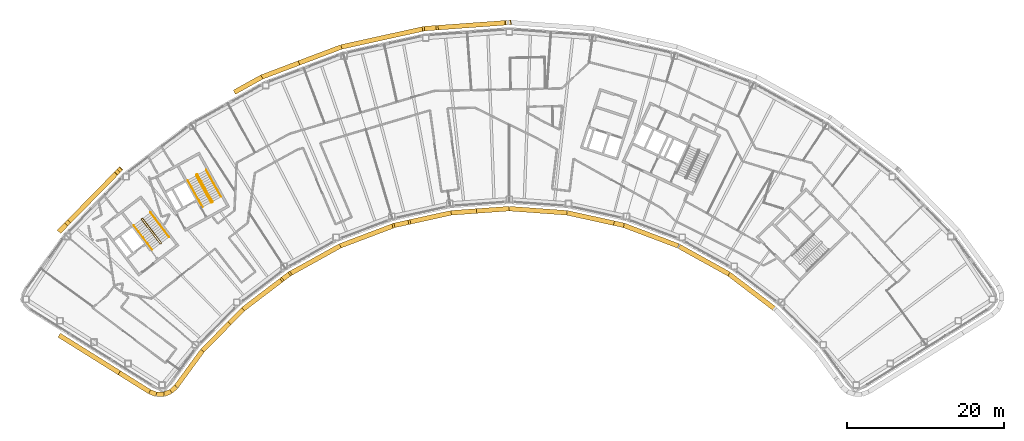
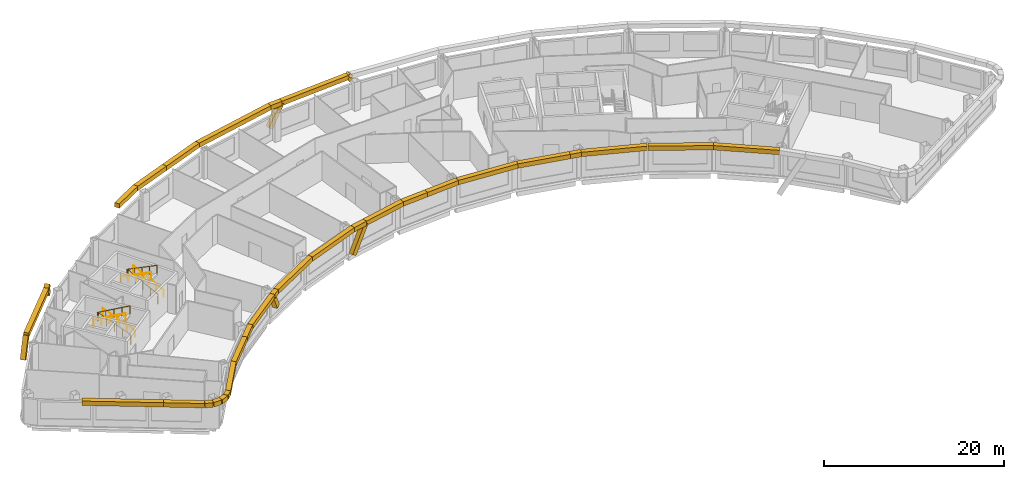
# One storey, part 13 of 14: 38 coverings, 6 railings.
"""IFC4 building model written with IfcOpenShell, lengths in metres."""

from ifc_helpers import new_model, si_unit, direction, frame, origin, origin_2d, place, context, subcontext, project, spatial, rectangle, circle, extrude, material, material_profile, profile_set, type_object, element, save


model = new_model("IFC4")

# Units and contexts
model_context = context("Model", 3, precision=1e-05, world=origin(), true_north=direction((0.0, 1.0)))
body_context = subcontext(model_context, "Body", "Model", "MODEL_VIEW")
ifc_project = project(units=[si_unit("LENGTHUNIT", "METRE"), si_unit("AREAUNIT", "SQUARE_METRE"), si_unit("VOLUMEUNIT", "CUBIC_METRE"), si_unit("PLANEANGLEUNIT", "RADIAN"), si_unit("MASSUNIT", "GRAM", prefix="KILO")], contexts=[model_context])

# Site, building, storey
site_placement = place(None, origin())
site = spatial("IfcSite", under=ifc_project, at=site_placement, CompositionType="ELEMENT")
building_placement = place(site_placement, origin())
building = spatial("IfcBuilding", under=site, at=building_placement, Name="Tuul Gate Civic Tower", CompositionType="ELEMENT")
storey_placement = place(building_placement, frame((0.0, 0.0, 269.39990234375)))
storey = spatial("IfcBuildingStorey", under=building, at=storey_placement, Name="Level 61", CompositionType="ELEMENT", Elevation=269.39990234375)

# Railings
ifc_material_1 = material(Name="Painted steel", Category="steel")
railing_type_1 = type_object("IfcRailingType", Name="Stair guard", PredefinedType="GUARDRAIL", material=ifc_material_1)
railing_1_placement = place(storey_placement, frame((-33.382080078125, -13.515380859375, 0.0)))
element("IfcRailing", 1, at=railing_1_placement, inside=storey, type_object=railing_type_1, Name="Level 61 ST-1 stair guard 1", PredefinedType="GUARDRAIL", context=body_context, shape_type="SweptSolid", body=[
    extrude(circle(Radius=0.02392578125, at=origin_2d()), frame((0.0, 0.0, 1.076171875), z_axis=(-0.795879841968, -0.605454603706, 0.0), x_axis=(0.605454603706, -0.795879841968, 0.0)), (0.0, 0.0, 1.0), 0.10009765625),
    extrude(circle(Radius=0.02392578125, at=origin_2d()), frame((-0.07958984375, -0.060546875, 1.076171875), z_axis=(0.408676696321, 0.599019267211, 0.688592241747), x_axis=(-0.826063974707, 0.563576356576, 0.0)), (0.0, 0.0, 1.0), 0.218017578125),
    extrude(circle(Radius=0.02392578125, at=origin_2d()), frame((0.009521484375, 0.070068359375, 1.22607421875), z_axis=(-0.541824460341, 0.711645023348, 0.447199748346), x_axis=(-0.795637165283, -0.60577347352, 0.0)), (0.0, 0.0, 1.0), 4.3603515625),
    extrude(circle(Radius=0.02392578125, at=origin_2d()), frame((-2.35302734375, 3.173095703125, 3.17626953125), z_axis=(-0.990893089246, 0.134650977284, 0.0), x_axis=(-0.134650977284, -0.990893089246, 0.0)), (0.0, 0.0, 1.0), 0.07080078125),
    extrude(circle(Radius=0.02392578125, at=origin_2d()), frame((-2.423095703125, 3.1826171875, 3.17626953125), z_axis=(-0.793802879778, -0.60817512943, 0.0), x_axis=(0.60817512943, -0.793802879778, 0.0)), (0.0, 0.0, 1.0), 0.099853515625),
    extrude(circle(Radius=0.02392578125, at=origin_2d()), frame((-2.50244140625, 3.121826171875, 3.17626953125), z_axis=(-0.057447065493, -0.422751481959, 0.904423031091), x_axis=(0.990893089246, -0.134650977284, 0.0)), (0.0, 0.0, 1.0), 0.165771484375),
    extrude(circle(Radius=0.02392578125, at=origin_2d()), frame((-2.511962890625, 3.0517578125, 3.326171875), z_axis=(0.541792925989, -0.711621155064, 0.447275929392), x_axis=(0.795644365679, 0.605764016233, 0.0)), (0.0, 0.0, 1.0), 4.360107421875),
    extrude(circle(Radius=0.02099609375, at=origin_2d()), origin(), (0.0, 0.0, 1.0), 1.052001953125),
    extrude(circle(Radius=0.02099609375, at=origin_2d()), frame((-0.07958984375, -0.060546875, 0.0)), (0.0, 0.0, 1.0), 1.052001953125),
    extrude(circle(Radius=0.02099609375, at=origin_2d()), frame((0.009521484375, 0.070068359375, 0.150146484375)), (0.0, 0.0, 1.0), 1.052001953125),
    extrude(circle(Radius=0.02099609375, at=origin_2d()), frame((-0.5810546875, 0.845703125, 0.6376953125)), (0.0, 0.0, 1.0), 1.052001953125),
    extrude(circle(Radius=0.02099609375, at=origin_2d()), frame((-1.171875, 1.62158203125, 1.125)), (0.0, 0.0, 1.0), 1.052001953125),
    extrude(circle(Radius=0.02099609375, at=origin_2d()), frame((-1.762451171875, 2.3974609375, 1.612548828125)), (0.0, 0.0, 1.0), 1.052001953125),
    extrude(circle(Radius=0.02099609375, at=origin_2d()), frame((-2.35302734375, 3.173095703125, 2.10009765625)), (0.0, 0.0, 1.0), 1.052001953125),
    extrude(circle(Radius=0.02099609375, at=origin_2d()), frame((-2.423095703125, 3.1826171875, 2.10009765625)), (0.0, 0.0, 1.0), 1.052001953125),
    extrude(circle(Radius=0.02099609375, at=origin_2d()), frame((-2.50244140625, 3.121826171875, 2.10009765625)), (0.0, 0.0, 1.0), 1.052001953125),
    extrude(circle(Radius=0.02099609375, at=origin_2d()), frame((-2.511962890625, 3.0517578125, 2.25)), (0.0, 0.0, 1.0), 1.052001953125),
    extrude(circle(Radius=0.02099609375, at=origin_2d()), frame((-1.92138671875, 2.276123046875, 2.737548828125)), (0.0, 0.0, 1.0), 1.052001953125),
    extrude(circle(Radius=0.02099609375, at=origin_2d()), frame((-1.330810546875, 1.50048828125, 3.22509765625)), (0.0, 0.0, 1.0), 1.052001953125),
    extrude(circle(Radius=0.02099609375, at=origin_2d()), frame((-0.740234375, 0.724609375, 3.712646484375)), (0.0, 0.0, 1.0), 1.052001953125),
    extrude(circle(Radius=0.02099609375, at=origin_2d()), frame((-0.149658203125, -0.051025390625, 4.2001953125)), (0.0, 0.0, 1.0), 1.052001953125),
])
railing_2_placement = place(storey_placement, frame((-26.857666015625, -8.247314453125, 0.0)))
element("IfcRailing", 2, at=railing_2_placement, inside=storey, type_object=railing_type_1, Name="Level 61 ST-2 stair guard 1", PredefinedType="GUARDRAIL", context=body_context, shape_type="SweptSolid", body=[
    extrude(circle(Radius=0.02392578125, at=origin_2d()), frame((0.0, 0.0, 1.076171875), z_axis=(-0.874616555828, -0.48481530532, 0.0), x_axis=(0.48481530532, -0.874616555828, 0.0)), (0.0, 0.0, 1.0), 0.10009765625),
    extrude(circle(Radius=0.02392578125, at=origin_2d()), frame((-0.087646484375, -0.048583984375, 1.076171875), z_axis=(0.490435707169, 0.534104639999, 0.688625479244), x_axis=(-0.736576986774, 0.676353711126, 0.0)), (0.0, 0.0, 1.0), 0.218017578125),
    extrude(circle(Radius=0.02392578125, at=origin_2d()), frame((0.019287109375, 0.06787109375, 1.22607421875), z_axis=(-0.43354991378, 0.782327185242, 0.447212083348), x_axis=(-0.874667644053, -0.484723129681, 0.0)), (0.0, 0.0, 1.0), 4.3603515625),
    extrude(circle(Radius=0.02392578125, at=origin_2d()), frame((-1.87109375, 3.47900390625, 3.17626953125), z_axis=(-0.961263487578, 0.275631107549, 0.0), x_axis=(-0.275631107549, -0.961263487578, 0.0)), (0.0, 0.0, 1.0), 0.07080078125),
    extrude(circle(Radius=0.02392578125, at=origin_2d()), frame((-1.939208984375, 3.49853515625, 3.17626953125), z_axis=(-0.874042088414, -0.485850211157, 0.0), x_axis=(0.485850211157, -0.874042088414, 0.0)), (0.0, 0.0, 1.0), 0.10009765625),
    extrude(circle(Radius=0.02392578125, at=origin_2d()), frame((-2.026611328125, 3.449951171875, 3.17626953125), z_axis=(-0.117866478395, -0.409586012422, 0.90462522168), x_axis=(0.961000426733, -0.276546885391, 0.0)), (0.0, 0.0, 1.0), 0.165771484375),
    extrude(circle(Radius=0.02392578125, at=origin_2d()), frame((-2.046142578125, 3.382080078125, 3.326171875), z_axis=(0.433584522764, -0.782288604346, 0.447246018574), x_axis=(0.874641102302, 0.484771020343, 0.0)), (0.0, 0.0, 1.0), 4.3603515625),
    extrude(circle(Radius=0.02099609375, at=origin_2d()), origin(), (0.0, 0.0, 1.0), 1.052001953125),
    extrude(circle(Radius=0.02099609375, at=origin_2d()), frame((-0.087646484375, -0.048583984375, 0.0)), (0.0, 0.0, 1.0), 1.052001953125),
    extrude(circle(Radius=0.02099609375, at=origin_2d()), frame((0.019287109375, 0.06787109375, 0.150146484375)), (0.0, 0.0, 1.0), 1.052001953125),
    extrude(circle(Radius=0.02099609375, at=origin_2d()), frame((-0.453369140625, 0.920654296875, 0.6376953125)), (0.0, 0.0, 1.0), 1.052001953125),
    extrude(circle(Radius=0.02099609375, at=origin_2d()), frame((-0.92578125, 1.7734375, 1.125)), (0.0, 0.0, 1.0), 1.052001953125),
    extrude(circle(Radius=0.02099609375, at=origin_2d()), frame((-1.3984375, 2.626220703125, 1.612548828125)), (0.0, 0.0, 1.0), 1.052001953125),
    extrude(circle(Radius=0.02099609375, at=origin_2d()), frame((-1.87109375, 3.47900390625, 2.10009765625)), (0.0, 0.0, 1.0), 1.052001953125),
    extrude(circle(Radius=0.02099609375, at=origin_2d()), frame((-1.939208984375, 3.49853515625, 2.10009765625)), (0.0, 0.0, 1.0), 1.052001953125),
    extrude(circle(Radius=0.02099609375, at=origin_2d()), frame((-2.026611328125, 3.449951171875, 2.10009765625)), (0.0, 0.0, 1.0), 1.052001953125),
    extrude(circle(Radius=0.02099609375, at=origin_2d()), frame((-2.046142578125, 3.382080078125, 2.25)), (0.0, 0.0, 1.0), 1.052001953125),
    extrude(circle(Radius=0.02099609375, at=origin_2d()), frame((-1.573486328125, 2.529296875, 2.737548828125)), (0.0, 0.0, 1.0), 1.052001953125),
    extrude(circle(Radius=0.02099609375, at=origin_2d()), frame((-1.100830078125, 1.676513671875, 3.22509765625)), (0.0, 0.0, 1.0), 1.052001953125),
    extrude(circle(Radius=0.02099609375, at=origin_2d()), frame((-0.628173828125, 0.82373046875, 3.712646484375)), (0.0, 0.0, 1.0), 1.052001953125),
    extrude(circle(Radius=0.02099609375, at=origin_2d()), frame((-0.155517578125, -0.029052734375, 4.2001953125)), (0.0, 0.0, 1.0), 1.052001953125),
])
ifc_material_2 = material(Name="Painted steel", Category="steel")
railing_type_2 = type_object("IfcRailingType", Name="Stair handrail", PredefinedType="HANDRAIL", material=ifc_material_2)
railing_3_placement = place(storey_placement, frame((-32.3779296875, -12.688232421875, 0.150146484375)))
element("IfcRailing", 3, at=railing_3_placement, inside=storey, type_object=railing_type_2, Name="Level 61 ST-1 stair handrail 1", PredefinedType="HANDRAIL", context=body_context, shape_type="SweptSolid", body=[
    extrude(circle(Radius=0.02392578125, at=origin_2d()), frame((0.0, 0.0, 0.8759765625), z_axis=(-0.541824460341, 0.711645023348, 0.447199748346), x_axis=(-0.795637165283, -0.60577347352, 0.0)), (0.0, 0.0, 1.0), 4.3603515625),
    extrude(circle(Radius=0.02099609375, at=origin_2d()), origin(), (0.0, 0.0, 1.0), 0.851806640625),
    extrude(circle(Radius=0.02099609375, at=origin_2d()), frame((-0.590576171875, 0.77587890625, 0.487548828125)), (0.0, 0.0, 1.0), 0.851806640625),
    extrude(circle(Radius=0.02099609375, at=origin_2d()), frame((-1.18115234375, 1.551513671875, 0.97509765625)), (0.0, 0.0, 1.0), 0.851806640625),
    extrude(circle(Radius=0.02099609375, at=origin_2d()), frame((-1.77197265625, 2.3271484375, 1.46240234375)), (0.0, 0.0, 1.0), 0.851806640625),
    extrude(circle(Radius=0.02099609375, at=origin_2d()), frame((-2.362548828125, 3.10302734375, 1.949951171875)), (0.0, 0.0, 1.0), 0.851806640625),
])
railing_4_placement = place(storey_placement, frame((-36.888671875, -11.220703125, 2.25)))
element("IfcRailing", 4, at=railing_4_placement, inside=storey, type_object=railing_type_2, Name="Level 61 ST-1 stair handrail 2", PredefinedType="HANDRAIL", context=body_context, shape_type="SweptSolid", body=[
    extrude(circle(Radius=0.02392578125, at=origin_2d()), frame((0.0, 0.0, 0.8759765625), z_axis=(0.541810893183, -0.711627203922, 0.44724454012), x_axis=(0.795637165283, 0.60577347352, 0.0)), (0.0, 0.0, 1.0), 4.3603515625),
    extrude(circle(Radius=0.02099609375, at=origin_2d()), origin(), (0.0, 0.0, 1.0), 0.851806640625),
    extrude(circle(Radius=0.02099609375, at=origin_2d()), frame((0.590576171875, -0.77587890625, 0.487548828125)), (0.0, 0.0, 1.0), 0.851806640625),
    extrude(circle(Radius=0.02099609375, at=origin_2d()), frame((1.18115234375, -1.551513671875, 0.97509765625)), (0.0, 0.0, 1.0), 0.851806640625),
    extrude(circle(Radius=0.02099609375, at=origin_2d()), frame((1.77197265625, -2.3271484375, 1.462646484375)), (0.0, 0.0, 1.0), 0.851806640625),
    extrude(circle(Radius=0.02099609375, at=origin_2d()), frame((2.362548828125, -3.10302734375, 1.9501953125)), (0.0, 0.0, 1.0), 0.851806640625),
])
railing_5_placement = place(storey_placement, frame((-25.744873046875, -7.573486328125, 0.150146484375)))
element("IfcRailing", 5, at=railing_5_placement, inside=storey, type_object=railing_type_2, Name="Level 61 ST-2 stair handrail 1", PredefinedType="HANDRAIL", context=body_context, shape_type="SweptSolid", body=[
    extrude(circle(Radius=0.02392578125, at=origin_2d()), frame((0.0, 0.0, 0.8759765625), z_axis=(-0.433595379963, 0.782308193291, 0.447201226726), x_axis=(-0.874641102302, -0.484771020343, 0.0)), (0.0, 0.0, 1.0), 4.3603515625),
    extrude(circle(Radius=0.02099609375, at=origin_2d()), origin(), (0.0, 0.0, 1.0), 0.851806640625),
    extrude(circle(Radius=0.02099609375, at=origin_2d()), frame((-0.47265625, 0.852783203125, 0.487548828125)), (0.0, 0.0, 1.0), 0.851806640625),
    extrude(circle(Radius=0.02099609375, at=origin_2d()), frame((-0.9453125, 1.70556640625, 0.97509765625)), (0.0, 0.0, 1.0), 0.851806640625),
    extrude(circle(Radius=0.02099609375, at=origin_2d()), frame((-1.41796875, 2.558349609375, 1.46240234375)), (0.0, 0.0, 1.0), 0.851806640625),
    extrude(circle(Radius=0.02099609375, at=origin_2d()), frame((-1.890625, 3.4111328125, 1.949951171875)), (0.0, 0.0, 1.0), 0.851806640625),
])
railing_6_placement = place(storey_placement, frame((-29.9970703125, -5.47119140625, 2.25)))
element("IfcRailing", 6, at=railing_6_placement, inside=storey, type_object=railing_type_2, Name="Level 61 ST-2 stair handrail 2", PredefinedType="HANDRAIL", context=body_context, shape_type="SweptSolid", body=[
    extrude(circle(Radius=0.02392578125, at=origin_2d()), frame((0.0, 0.0, 0.8759765625), z_axis=(0.433584522764, -0.782288604346, 0.447246018574), x_axis=(0.874641102302, 0.484771020343, 0.0)), (0.0, 0.0, 1.0), 4.3603515625),
    extrude(circle(Radius=0.02099609375, at=origin_2d()), origin(), (0.0, 0.0, 1.0), 0.851806640625),
    extrude(circle(Radius=0.02099609375, at=origin_2d()), frame((0.47265625, -0.852783203125, 0.487548828125)), (0.0, 0.0, 1.0), 0.851806640625),
    extrude(circle(Radius=0.02099609375, at=origin_2d()), frame((0.9453125, -1.70556640625, 0.97509765625)), (0.0, 0.0, 1.0), 0.851806640625),
    extrude(circle(Radius=0.02099609375, at=origin_2d()), frame((1.41796875, -2.558349609375, 1.462646484375)), (0.0, 0.0, 1.0), 0.851806640625),
    extrude(circle(Radius=0.02099609375, at=origin_2d()), frame((1.890625, -3.4111328125, 1.9501953125)), (0.0, 0.0, 1.0), 0.851806640625),
])

# Coverings
ifc_material_3 = material(Name="Terracotta baguette", Category="masonry")
ifc_material_profile = material_profile(ifc_material_3, rectangle(XDim=0.60009765625, YDim=0.60009765625, at=origin_2d()), Name="Terracotta baguette screen frame")
ifc_profile_set = profile_set([ifc_material_profile], Name="Terracotta baguette")
covering_type = type_object("IfcCoveringType", Name="Terracotta baguette screen frame", PredefinedType="CLADDING", material=ifc_profile_set)
covering_1_placement = place(storey_placement, frame((11.031005859375, 14.677001953125, 4.099853515625), z_axis=(-0.731544505848, -0.05315491414, -0.679718464562), x_axis=(0.072470160291, -0.997370581012, 0.0)))
element("IfcCovering", 7, at=covering_1_placement, inside=storey, type_object=covering_type, Name="Baguette 72", PredefinedType="CLADDING", context=body_context, shape_type="SweptSolid", body=[
    extrude(rectangle(XDim=0.60009765625, YDim=0.60009765625, at=origin_2d()), origin(), (0.0, 0.0, 1.0), 0.367431640625),
])
covering_2_placement = place(storey_placement, frame((10.76220703125, 14.657470703125, 3.85009765625), z_axis=(0.473767502514, 0.034424523343, -0.879976877966), x_axis=(-0.072470160291, 0.997370581012, 0.0)))
element("IfcCovering", 8, at=covering_2_placement, inside=storey, type_object=covering_type, Name="Baguette 76", PredefinedType="CLADDING", context=body_context, shape_type="SweptSolid", body=[
    extrude(rectangle(XDim=0.60009765625, YDim=0.60009765625, at=origin_2d()), origin(), (0.0, 0.0, 1.0), 0.5673828125),
])
covering_3_placement = place(storey_placement, frame((10.76220703125, 14.657470703125, 3.85009765625), z_axis=(-0.997388280851, -0.072226153297, 0.0), x_axis=(0.072226153297, -0.997388280851, 0.0)))
element("IfcCovering", 9, at=covering_3_placement, inside=storey, type_object=covering_type, Name="Baguette 78", PredefinedType="CLADDING", context=body_context, shape_type="SweptSolid", body=[
    extrude(rectangle(XDim=0.60009765625, YDim=0.60009765625, at=origin_2d()), origin(), (0.0, 0.0, 1.0), 9.072509765625),
])
covering_4_placement = place(storey_placement, frame((1.71337890625, 14.002197265625, 3.85009765625), z_axis=(-0.473975845679, -0.034349416832, -0.879867612358), x_axis=(0.072281254419, -0.997384289158, 0.0)))
element("IfcCovering", 10, at=covering_4_placement, inside=storey, type_object=covering_type, Name="Baguette 83", PredefinedType="CLADDING", context=body_context, shape_type="SweptSolid", body=[
    extrude(rectangle(XDim=0.60009765625, YDim=0.60009765625, at=origin_2d()), origin(), (0.0, 0.0, 1.0), 3.177001953125),
])
covering_5_placement = place(storey_placement, frame((-15.79931640625, 9.511474609375, 3.85009765625), z_axis=(-0.935339269732, -0.353751961829, 0.0), x_axis=(0.353751961829, -0.935339269732, 0.0)))
element("IfcCovering", 11, at=covering_5_placement, inside=storey, type_object=covering_type, Name="Baguette 99", PredefinedType="CLADDING", context=body_context, shape_type="SweptSolid", body=[
    extrude(rectangle(XDim=0.60009765625, YDim=0.60009765625, at=origin_2d()), origin(), (0.0, 0.0, 1.0), 5.06640625),
])
covering_6_placement = place(storey_placement, frame((-20.5380859375, 7.71923828125, 3.85009765625), z_axis=(-0.874631167379, -0.484788944851, 0.0), x_axis=(0.484788944851, -0.874631167379, 0.0)))
element("IfcCovering", 12, at=covering_6_placement, inside=storey, type_object=covering_type, Name="Baguette 100", PredefinedType="CLADDING", context=body_context, shape_type="SweptSolid", body=[
    extrude(rectangle(XDim=0.60009765625, YDim=0.60009765625, at=origin_2d()), origin(), (0.0, 0.0, 1.0), 4.006103515625),
])
covering_7_placement = place(storey_placement, frame((-38.66259765625, -4.1142578125, 4.265625), z_axis=(-0.513685811518, -0.52406330266, -0.679326535512), x_axis=(0.714142142784, -0.700000714214, 0.0)))
element("IfcCovering", 13, at=covering_7_placement, inside=storey, type_object=covering_type, Name="Baguette 114", PredefinedType="CLADDING", context=body_context, shape_type="SweptSolid", body=[
    extrude(rectangle(XDim=0.60009765625, YDim=0.60009765625, at=origin_2d()), origin(), (0.0, 0.0, 1.0), 0.611572265625),
])
covering_8_placement = place(storey_placement, frame((-38.976806640625, -4.434814453125, 3.85009765625), z_axis=(0.332661950864, 0.339382394315, -0.879861134996), x_axis=(-0.714142142784, 0.700000714214, 0.0)))
element("IfcCovering", 14, at=covering_8_placement, inside=storey, type_object=covering_type, Name="Baguette 118", PredefinedType="CLADDING", context=body_context, shape_type="SweptSolid", body=[
    extrude(rectangle(XDim=0.60009765625, YDim=0.60009765625, at=origin_2d()), origin(), (0.0, 0.0, 1.0), 0.944580078125),
])
covering_9_placement = place(storey_placement, frame((-38.976806640625, -4.434814453125, 3.85009765625), z_axis=(-0.69999391998, -0.714148802415, 0.0), x_axis=(0.714148802415, -0.69999391998, 0.0)))
element("IfcCovering", 15, at=covering_9_placement, inside=storey, type_object=covering_type, Name="Baguette 120", PredefinedType="CLADDING", context=body_context, shape_type="SweptSolid", body=[
    extrude(rectangle(XDim=0.60009765625, YDim=0.60009765625, at=origin_2d()), origin(), (0.0, 0.0, 1.0), 9.072265625),
])
covering_10_placement = place(storey_placement, frame((-45.327392578125, -10.913818359375, 3.85009765625), z_axis=(-0.332603463644, -0.339318321196, -0.879907957046), x_axis=(0.714137600713, -0.700005348013, 0.0)))
element("IfcCovering", 16, at=covering_10_placement, inside=storey, type_object=covering_type, Name="Baguette 125", PredefinedType="CLADDING", context=body_context, shape_type="SweptSolid", body=[
    extrude(rectangle(XDim=0.60009765625, YDim=0.60009765625, at=origin_2d()), origin(), (0.0, 0.0, 1.0), 2.799560546875),
])
covering_11_placement = place(storey_placement, frame((-46.413818359375, -25.236328125, 3.85009765625), z_axis=(0.848031633403, -0.529945609235, 0.0), x_axis=(0.529945609235, 0.848031633403, 0.0)))
element("IfcCovering", 17, at=covering_11_placement, inside=storey, type_object=covering_type, Name="Baguette 152", PredefinedType="CLADDING", context=body_context, shape_type="SweptSolid", body=[
    extrude(rectangle(XDim=0.60009765625, YDim=0.60009765625, at=origin_2d()), origin(), (0.0, 0.0, 1.0), 9.052978515625),
])
covering_12_placement = place(storey_placement, frame((-24.676513671875, -23.702880859375, 3.85009765625), z_axis=(0.70003698075, 0.714106592591, 0.0), x_axis=(-0.714106592591, 0.70003698075, 0.0)))
element("IfcCovering", 18, at=covering_12_placement, inside=storey, type_object=covering_type, Name="Baguette 184", PredefinedType="CLADDING", context=body_context, shape_type="SweptSolid", body=[
    extrude(rectangle(XDim=0.60009765625, YDim=0.60009765625, at=origin_2d()), origin(), (0.0, 0.0, 1.0), 2.4814453125),
])
covering_13_placement = place(storey_placement, frame((-22.939453125, -21.930908203125, 3.85009765625), z_axis=(0.795633135366, 0.605778766472, 0.0), x_axis=(-0.605778766472, 0.795633135366, 0.0)))
element("IfcCovering", 19, at=covering_13_placement, inside=storey, type_object=covering_type, Name="Baguette 185", PredefinedType="CLADDING", context=body_context, shape_type="SweptSolid", body=[
    extrude(rectangle(XDim=0.60009765625, YDim=0.60009765625, at=origin_2d()), origin(), (0.0, 0.0, 1.0), 6.37060546875),
])
covering_14_placement = place(storey_placement, frame((-17.870849609375, -18.07177734375, 3.85009765625), z_axis=(0.370916914487, 0.282427357513, -0.884678150672), x_axis=(-0.605804319563, 0.795613679118, 0.0)))
element("IfcCovering", 20, at=covering_14_placement, inside=storey, type_object=covering_type, Name="Baguette 190", PredefinedType="CLADDING", context=body_context, shape_type="SweptSolid", body=[
    extrude(rectangle(XDim=0.60009765625, YDim=0.60009765625, at=origin_2d()), origin(), (0.0, 0.0, 1.0), 2.245849609375),
])
covering_15_placement = place(storey_placement, frame((-1.83349609375, -10.8251953125, 3.85009765625), z_axis=(-0.455231406163, -0.100259669846, -0.884710328551), x_axis=(0.215084326604, -0.976595480457, 0.0)))
element("IfcCovering", 21, at=covering_15_placement, inside=storey, type_object=covering_type, Name="Baguette 208", PredefinedType="CLADDING", context=body_context, shape_type="SweptSolid", body=[
    extrude(rectangle(XDim=0.60009765625, YDim=0.60009765625, at=origin_2d()), origin(), (0.0, 0.0, 1.0), 3.90576171875),
])
covering_16_placement = place(storey_placement, frame((-1.83349609375, -10.8251953125, 3.85009765625), z_axis=(0.976583648021, 0.215138045026, 0.0), x_axis=(-0.215138045026, 0.976583648021, 0.0)))
element("IfcCovering", 22, at=covering_16_placement, inside=storey, type_object=covering_type, Name="Baguette 210", PredefinedType="CLADDING", context=body_context, shape_type="SweptSolid", body=[
    extrude(rectangle(XDim=0.60009765625, YDim=0.60009765625, at=origin_2d()), origin(), (0.0, 0.0, 1.0), 5.596923828125),
])
covering_17_placement = place(storey_placement, frame((3.63232421875, -9.62109375, 3.85009765625), z_axis=(0.997382758328, 0.07230237472, 0.0), x_axis=(-0.07230237472, 0.997382758328, 0.0)))
element("IfcCovering", 23, at=covering_17_placement, inside=storey, type_object=covering_type, Name="Baguette 211", PredefinedType="CLADDING", context=body_context, shape_type="SweptSolid", body=[
    extrude(rectangle(XDim=0.60009765625, YDim=0.60009765625, at=origin_2d()), origin(), (0.0, 0.0, 1.0), 3.255126953125),
])
covering_18_placement = place(storey_placement, frame((24.4091796875, -10.938232421875, 3.85009765625), z_axis=(0.976580321069, -0.215153146619, 0.0), x_axis=(0.215153146619, 0.976580321069, 0.0)))
element("IfcCovering", 24, at=covering_18_placement, inside=storey, type_object=covering_type, Name="Baguette 233", PredefinedType="CLADDING", context=body_context, shape_type="SweptSolid", body=[
    extrude(rectangle(XDim=0.60009765625, YDim=0.60009765625, at=origin_2d()), origin(), (0.0, 0.0, 1.0), 1.294677734375),
])
covering_19_placement = place(storey_placement, frame((25.673583984375, -11.216796875, 3.85009765625), z_axis=(0.935320405664, -0.353801835423, 0.0), x_axis=(0.353801835423, 0.935320405664, 0.0)))
element("IfcCovering", 25, at=covering_19_placement, inside=storey, type_object=covering_type, Name="Baguette 234", PredefinedType="CLADDING", context=body_context, shape_type="SweptSolid", body=[
    extrude(rectangle(XDim=0.60009765625, YDim=0.60009765625, at=origin_2d()), origin(), (0.0, 0.0, 1.0), 7.41796875),
])
covering_20_placement = place(storey_placement, frame((1.71337890625, 14.002197265625, 3.85009765625), z_axis=(-0.997384289158, -0.072281254419, 0.0), x_axis=(0.072281254419, -0.997384289158, 0.0)))
element("IfcCovering", 26, at=covering_20_placement, inside=storey, type_object=covering_type, Name="Baguette 314", PredefinedType="CLADDING", context=body_context, shape_type="SweptSolid", body=[
    extrude(rectangle(XDim=0.60009765625, YDim=0.60009765625, at=origin_2d()), origin(), (0.0, 0.0, 1.0), 1.509765625),
])
covering_21_placement = place(storey_placement, frame((0.20751953125, 13.89306640625, 3.85009765625), z_axis=(-0.976560440974, -0.215243362557, 0.0), x_axis=(0.215243362557, -0.976560440974, 0.0)))
element("IfcCovering", 27, at=covering_21_placement, inside=storey, type_object=covering_type, Name="Baguette 315", PredefinedType="CLADDING", context=body_context, shape_type="SweptSolid", body=[
    extrude(rectangle(XDim=0.60009765625, YDim=0.60009765625, at=origin_2d()), origin(), (0.0, 0.0, 1.0), 10.850341796875),
])
covering_22_placement = place(storey_placement, frame((-10.388427734375, 11.5576171875, 3.85009765625), z_axis=(-0.935356084004, -0.353707500791, 0.0), x_axis=(0.353707500791, -0.935356084004, 0.0)))
element("IfcCovering", 28, at=covering_22_placement, inside=storey, type_object=covering_type, Name="Baguette 316", PredefinedType="CLADDING", context=body_context, shape_type="SweptSolid", body=[
    extrude(rectangle(XDim=0.60009765625, YDim=0.60009765625, at=origin_2d()), origin(), (0.0, 0.0, 1.0), 5.784912109375),
])
covering_23_placement = place(storey_placement, frame((-38.736572265625, -30.033935546875, 3.85009765625), z_axis=(0.848046231168, -0.529922248827, 0.0), x_axis=(0.529922248827, 0.848046231168, 0.0)))
element("IfcCovering", 29, at=covering_23_placement, inside=storey, type_object=covering_type, Name="Baguette 337", PredefinedType="CLADDING", context=body_context, shape_type="SweptSolid", body=[
    extrude(rectangle(XDim=0.60009765625, YDim=0.60009765625, at=origin_2d()), origin(), (0.0, 0.0, 1.0), 4.57861328125),
])
covering_24_placement = place(storey_placement, frame((-34.853759765625, -32.460205078125, 3.85009765625), z_axis=(0.93181662135, -0.362929447932, 0.0), x_axis=(0.362929447932, 0.93181662135, 0.0)))
element("IfcCovering", 30, at=covering_24_placement, inside=storey, type_object=covering_type, Name="Baguette 338", PredefinedType="CLADDING", context=body_context, shape_type="SweptSolid", body=[
    extrude(rectangle(XDim=0.60009765625, YDim=0.60009765625, at=origin_2d()), origin(), (0.0, 0.0, 1.0), 0.902099609375),
])
covering_25_placement = place(storey_placement, frame((-34.01318359375, -32.78759765625, 3.85009765625), z_axis=(0.999990900757, 0.004265958673, 0.0), x_axis=(-0.004265958673, 0.999990900757, 0.0)))
element("IfcCovering", 31, at=covering_25_placement, inside=storey, type_object=covering_type, Name="Baguette 339", PredefinedType="CLADDING", context=body_context, shape_type="SweptSolid", body=[
    extrude(rectangle(XDim=0.60009765625, YDim=0.60009765625, at=origin_2d()), origin(), (0.0, 0.0, 1.0), 0.972900390625),
])
covering_26_placement = place(storey_placement, frame((-33.040283203125, -32.783447265625, 3.85009765625), z_axis=(0.929665294904, 0.368405265232, 0.0), x_axis=(-0.368405265232, 0.929665294904, 0.0)))
element("IfcCovering", 32, at=covering_26_placement, inside=storey, type_object=covering_type, Name="Baguette 340", PredefinedType="CLADDING", context=body_context, shape_type="SweptSolid", body=[
    extrude(rectangle(XDim=0.60009765625, YDim=0.60009765625, at=origin_2d()), origin(), (0.0, 0.0, 1.0), 0.973388671875),
])
covering_27_placement = place(storey_placement, frame((-32.13525390625, -32.4248046875, 3.85009765625), z_axis=(0.730001285686, 0.683445771731, 0.0), x_axis=(-0.683445771731, 0.730001285686, 0.0)))
element("IfcCovering", 33, at=covering_27_placement, inside=storey, type_object=covering_type, Name="Baguette 341", PredefinedType="CLADDING", context=body_context, shape_type="SweptSolid", body=[
    extrude(rectangle(XDim=0.60009765625, YDim=0.60009765625, at=origin_2d()), origin(), (0.0, 0.0, 1.0), 0.902099609375),
])
covering_28_placement = place(storey_placement, frame((-31.476806640625, -31.808349609375, 3.85009765625), z_axis=(0.589729447422, 0.807600878432, 0.0), x_axis=(-0.807600878432, 0.589729447422, 0.0)))
element("IfcCovering", 34, at=covering_28_placement, inside=storey, type_object=covering_type, Name="Baguette 342", PredefinedType="CLADDING", context=body_context, shape_type="SweptSolid", body=[
    extrude(rectangle(XDim=0.60009765625, YDim=0.60009765625, at=origin_2d()), origin(), (0.0, 0.0, 1.0), 5.671142578125),
])
covering_29_placement = place(storey_placement, frame((-28.13232421875, -27.228271484375, 3.85009765625), z_axis=(0.700024437116, 0.71411888887, 0.0), x_axis=(-0.71411888887, 0.700024437116, 0.0)))
element("IfcCovering", 35, at=covering_29_placement, inside=storey, type_object=covering_type, Name="Baguette 343", PredefinedType="CLADDING", context=body_context, shape_type="SweptSolid", body=[
    extrude(rectangle(XDim=0.60009765625, YDim=0.60009765625, at=origin_2d()), origin(), (0.0, 0.0, 1.0), 4.936767578125),
])
covering_30_placement = place(storey_placement, frame((-17.870849609375, -18.07177734375, 3.85009765625), z_axis=(0.795613679118, 0.605804319563, 0.0), x_axis=(-0.605804319563, 0.795613679118, 0.0)))
element("IfcCovering", 36, at=covering_30_placement, inside=storey, type_object=covering_type, Name="Baguette 348", PredefinedType="CLADDING", context=body_context, shape_type="SweptSolid", body=[
    extrude(rectangle(XDim=0.60009765625, YDim=0.60009765625, at=origin_2d()), origin(), (0.0, 0.0, 1.0), 1.047119140625),
])
for number, where, z_axis, x_axis, name in (
    (37, (-17.037841796875, -17.4375, 3.85009765625), (0.874630355477, 0.48479040964, 0.0), (-0.48479040964, 0.874630355477, 0.0), "Baguette 349"),
    (38, (-10.5498046875, -13.84130859375, 3.85009765625), (0.935320405664, 0.353801835423, 0.0), (-0.353801835423, 0.935320405664, 0.0), "Baguette 350"),
):
    element("IfcCovering", number, at=place(storey_placement, frame(where, z_axis=z_axis, x_axis=x_axis)), inside=storey, type_object=covering_type, Name=name, PredefinedType="CLADDING", context=body_context, shape_type="SweptSolid", body=[
        extrude(rectangle(XDim=0.60009765625, YDim=0.60009765625, at=origin_2d()), origin(), (0.0, 0.0, 1.0), 7.41796875),
    ])
covering_31_placement = place(storey_placement, frame((-3.611572265625, -11.216796875, 3.85009765625), z_axis=(0.976595480457, 0.215084326604, 0.0), x_axis=(-0.215084326604, 0.976595480457, 0.0)))
element("IfcCovering", 39, at=covering_31_placement, inside=storey, type_object=covering_type, Name="Baguette 351", PredefinedType="CLADDING", context=body_context, shape_type="SweptSolid", body=[
    extrude(rectangle(XDim=0.60009765625, YDim=0.60009765625, at=origin_2d()), origin(), (0.0, 0.0, 1.0), 1.82080078125),
])
covering_32_placement = place(storey_placement, frame((6.87890625, -9.3857421875, 3.85009765625), z_axis=(0.997386449955, 0.072251432136, 0.0), x_axis=(-0.072251432136, 0.997386449955, 0.0)))
element("IfcCovering", 40, at=covering_32_placement, inside=storey, type_object=covering_type, Name="Baguette 356", PredefinedType="CLADDING", context=body_context, shape_type="SweptSolid", body=[
    extrude(rectangle(XDim=0.60009765625, YDim=0.60009765625, at=origin_2d()), origin(), (0.0, 0.0, 1.0), 4.1630859375),
])
covering_33_placement = place(storey_placement, frame((11.031005859375, -9.0849609375, 3.85009765625), z_axis=(0.997384830366, -0.072273786091, 0.0), x_axis=(0.072273786091, 0.997384830366, 0.0)))
element("IfcCovering", 41, at=covering_33_placement, inside=storey, type_object=covering_type, Name="Baguette 357", PredefinedType="CLADDING", context=body_context, shape_type="SweptSolid", body=[
    extrude(rectangle(XDim=0.60009765625, YDim=0.60009765625, at=origin_2d()), origin(), (0.0, 0.0, 1.0), 7.41796875),
])
covering_34_placement = place(storey_placement, frame((18.4296875, -9.62109375, 3.85009765625), z_axis=(0.976587870254, -0.215118878002, 0.0), x_axis=(0.215118878002, 0.976587870254, 0.0)))
element("IfcCovering", 42, at=covering_34_placement, inside=storey, type_object=covering_type, Name="Baguette 358", PredefinedType="CLADDING", context=body_context, shape_type="SweptSolid", body=[
    extrude(rectangle(XDim=0.60009765625, YDim=0.60009765625, at=origin_2d()), origin(), (0.0, 0.0, 1.0), 6.122802734375),
])
covering_35_placement = place(storey_placement, frame((32.733642578125, -13.90869140625, 3.85009765625), z_axis=(0.874622022886, -0.484805442506, 0.0), x_axis=(0.484805442506, 0.874622022886, 0.0)))
element("IfcCovering", 43, at=covering_35_placement, inside=storey, type_object=covering_type, Name="Baguette 362", PredefinedType="CLADDING", context=body_context, shape_type="SweptSolid", body=[
    extrude(rectangle(XDim=0.60009765625, YDim=0.60009765625, at=origin_2d()), origin(), (0.0, 0.0, 1.0), 7.27880859375),
])
covering_36_placement = place(storey_placement, frame((39.099853515625, -17.4375, 3.85009765625), z_axis=(0.795630389124, -0.605782373384, 0.0), x_axis=(0.605782373384, 0.795630389124, 0.0)))
element("IfcCovering", 44, at=covering_36_placement, inside=storey, type_object=covering_type, Name="Baguette 363", PredefinedType="CLADDING", context=body_context, shape_type="SweptSolid", body=[
    extrude(rectangle(XDim=0.60009765625, YDim=0.60009765625, at=origin_2d()), origin(), (0.0, 0.0, 1.0), 7.41748046875),
])

save(model, "model.ifc")
